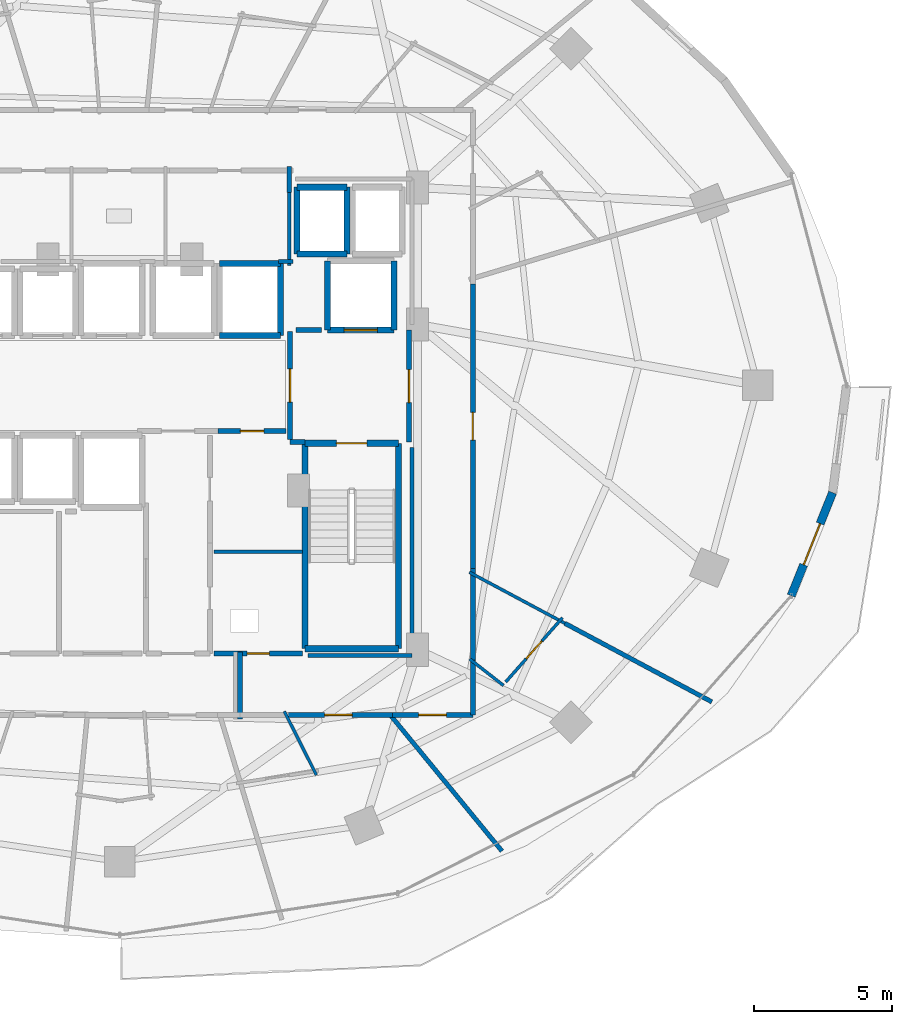
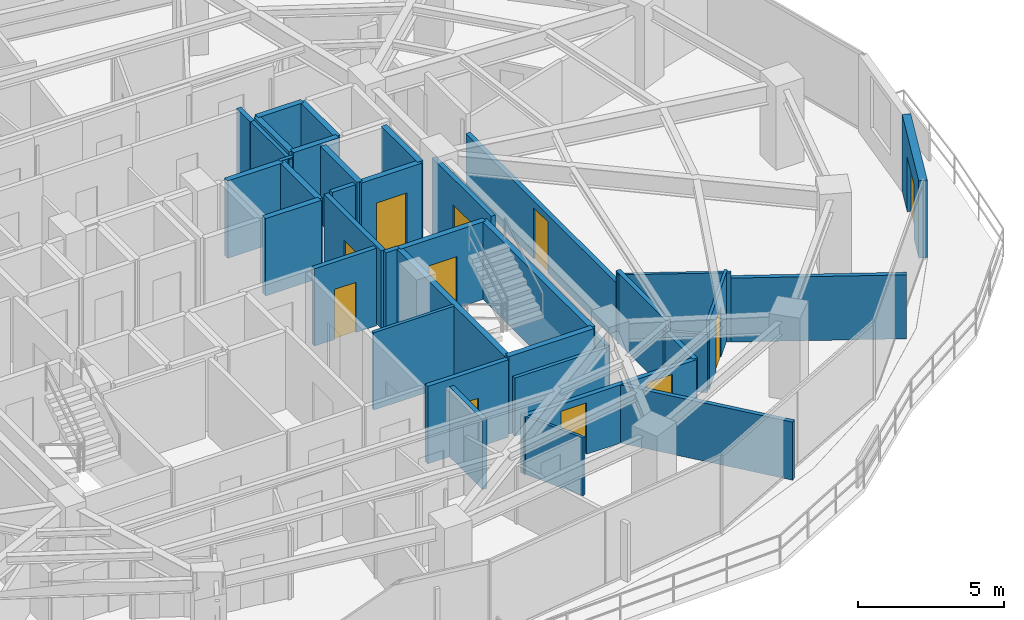
# One storey, part 24 of 29: 39 walls, 11 doors, 11 openings.
"""IFC4 building model written with IfcOpenShell, lengths in metres."""

from ifc_helpers import new_model, si_unit, direction, frame, frame_2d, origin, place, context, subcontext, project, spatial, rectangle, extrude, material, layer, layer_set, type_object, element, fill, save


model = new_model("IFC4")

# Units and contexts
model_context = context("Model", 3, precision=1e-05, world=origin(), true_north=direction((0.0, 1.0)))
body_context = subcontext(model_context, "Body", "Model", "MODEL_VIEW")
ifc_project = project(units=[si_unit("LENGTHUNIT", "METRE"), si_unit("AREAUNIT", "SQUARE_METRE"), si_unit("VOLUMEUNIT", "CUBIC_METRE"), si_unit("PLANEANGLEUNIT", "RADIAN"), si_unit("MASSUNIT", "GRAM", prefix="KILO")], contexts=[model_context])

# Site, building, storey
site_placement = place(None, origin())
site = spatial("IfcSite", under=ifc_project, at=site_placement, CompositionType="ELEMENT")
building_placement = place(site_placement, origin())
building = spatial("IfcBuilding", under=site, at=building_placement, Name="Vorneva Point Tower", CompositionType="ELEMENT")
storey_placement = place(building_placement, frame((0.0, 0.0, 110.300048828125)))
storey = spatial("IfcBuildingStorey", under=building, at=storey_placement, Name="L29", CompositionType="ELEMENT", Elevation=110.300048828125)

# Wall, opening, door
ifc_material_1 = material(Name="Concrete B60 (C50/60)", Category="concrete")
ifc_layer_1 = layer(ifc_material_1, 0.5)
ifc_layer_set_1 = layer_set([ifc_layer_1], Name="Concrete B60 (C50/60)")
wall_type_1 = type_object("IfcWallType", Name="WL-CORE-500", PredefinedType="SHEAR", material=ifc_layer_set_1)
wall_1_placement = place(storey_placement, frame((45.5, 28.0, 0.0), z_axis=(0.0, 0.0, 1.0), x_axis=(1.0, 0.0, 0.0)))
wall_1 = element("IfcWall", 1, at=wall_1_placement, inside=storey, type_object=wall_type_1, Name="L29 Lift FFL2 Shaft Wall -Y", PredefinedType="SHEAR", context=body_context, shape_type="SweptSolid", body=[
    extrude(rectangle(XDim=2.39990234375, YDim=0.219970703125, at=frame_2d((1.199951171875, 0.0))), origin(), (0.0, 0.0, 1.0), 3.239990234375),
])
opening_1_placement = place(wall_1_placement, frame((0.60009765625, 0.0, 0.0)))
opening_1 = element("IfcOpeningElement", 2, at=opening_1_placement, cuts=wall_1, Name="Opening LD-02", PredefinedType="OPENING", context=body_context, shape_type="SweptSolid", body=[
    extrude(rectangle(XDim=1.199951171875, YDim=2.199951171875, at=frame_2d((0.60009765625, 1.10009765625))), frame((0.0, 0.125, 0.0), z_axis=(0.0, -1.0, 0.0), x_axis=(1.0, 0.0, 0.0)), (0.0, 0.0, 1.0), 0.249755859375),
])
ifc_material_2 = material(Name="Brushed stainless steel S304", Category="steel")
door_type_1 = type_object("IfcDoorType", Name="LD-FIRE-1200", OperationType="SLIDING_TO_LEFT", PredefinedType="DOOR", material=ifc_material_2)
door_1_placement = place(opening_1_placement, origin())
door_1 = element("IfcDoor", 3, at=door_1_placement, inside=storey, type_object=door_type_1, Name="L29 Lift FFL2 Sliding Landing Door", OperationType="SLIDING_TO_LEFT", OverallHeight=2.199951171875, OverallWidth=1.199951171875, PredefinedType="DOOR", context=body_context, shape_type="SweptSolid", body=[
    extrude(rectangle(XDim=1.199951171875, YDim=2.199951171875, at=frame_2d((0.60009765625, 1.10009765625))), frame((0.0, 0.02490234375, 0.0), z_axis=(0.0, -1.0, 0.0), x_axis=(1.0, 0.0, 0.0)), (0.0, 0.0, 1.0), 0.050048828125),
])
fill(opening_1, door_1)

# Walls
for number, where, z_axis, x_axis, name in (
    (4, (47.89990234375, 28.0, 0.0), (0.0, 0.0, 1.0), (0.0, 1.0, 0.0), "L29 Lift FFL2 Shaft Wall +X"),
    (5, (45.5, 30.5, 0.0), (0.0, 0.0, 1.0), (0.0, -1.0, 0.0), "L29 Lift FFL2 Shaft Wall -X"),
):
    element("IfcWall", number, at=place(storey_placement, frame(where, z_axis=z_axis, x_axis=x_axis)), inside=storey, type_object=wall_type_1, Name=name, PredefinedType="SHEAR", context=body_context, shape_type="SweptSolid", body=[
        extrude(rectangle(XDim=2.5, YDim=0.219970703125, at=frame_2d((1.25, 0.0))), origin(), (0.0, 0.0, 1.0), 3.239990234375),
    ])

# Wall, opening, door
ifc_material_3 = material(Name="Precast concrete B50 (C40/50)", Category="concrete")
ifc_layer_2 = layer(ifc_material_3, 0.300048828125)
ifc_layer_set_2 = layer_set([ifc_layer_2], Name="Precast concrete B50 (C40/50)")
wall_type_2 = type_object("IfcWallType", Name="WL-EXT-300", PredefinedType="STANDARD", material=ifc_layer_set_2)
wall_2_placement = place(storey_placement, frame((62.251708984375, 18.40380859375, 0.0), z_axis=(0.0, 0.0, 1.0), x_axis=(0.372345205928, 0.92809430966, 0.0)))
wall_2 = element("IfcWall", 6, at=wall_2_placement, inside=storey, type_object=wall_type_2, Name="L29 Pale-Metal Facade Spandrel Wall 16.1", PredefinedType="STANDARD", context=body_context, shape_type="SweptSolid", body=[
    extrude(rectangle(XDim=4.01220703125, YDim=0.300048828125, at=frame_2d((2.006103515625, 0.0))), origin(), (0.0, 0.0, 1.0), 3.239990234375),
])
opening_2_placement = place(wall_2_placement, frame((1.2060546875, 0.0, 0.0)))
opening_2 = element("IfcOpeningElement", 7, at=opening_2_placement, cuts=wall_2, Name="Opening BD-01", PredefinedType="OPENING", context=body_context, shape_type="SweptSolid", body=[
    extrude(rectangle(XDim=1.60009765625, YDim=2.300048828125, at=frame_2d((0.800048828125, 1.14990234375))), frame((0.0, 0.1650390625, 0.0), z_axis=(0.0, -1.0, 0.0), x_axis=(1.0, 0.0, 0.0)), (0.0, 0.0, 1.0), 0.329833984375),
])
ifc_material_4 = material(Name="Pale anodised aluminium", Category="aluminium")
door_type_2 = type_object("IfcDoorType", Name="DR-BAL-1600", OperationType="SLIDING_TO_LEFT", PredefinedType="DOOR", material=ifc_material_4)
door_2_placement = place(opening_2_placement, origin())
door_2 = element("IfcDoor", 8, at=door_2_placement, inside=storey, type_object=door_type_2, Name="L29 Balcony Terrace Access Door 16", OperationType="SLIDING_TO_LEFT", OverallHeight=2.300048828125, OverallWidth=1.60009765625, PredefinedType="DOOR", context=body_context, shape_type="SweptSolid", body=[
    extrude(rectangle(XDim=1.60009765625, YDim=2.300048828125, at=frame_2d((0.800048828125, 1.14990234375))), frame((0.0, 0.02490234375, 0.0), z_axis=(0.0, -1.0, 0.0), x_axis=(1.0, 0.0, 0.0)), (0.0, 0.0, 1.0), 0.050048828125),
])
fill(opening_2, door_2)

# Wall
ifc_material_5 = material(Name="Fire-rated acoustic gypsum stud partition", Category="gypsum")
ifc_layer_3 = layer(ifc_material_5, 0.110107421875)
ifc_layer_set_3 = layer_set([ifc_layer_3], Name="Fire-rated acoustic gypsum stud partition")
wall_type_3 = type_object("IfcWallType", Name="WL-PART-110", PredefinedType="PARTITIONING", material=ifc_layer_set_3)
wall_3_placement = place(storey_placement, frame((43.94189453125, 14.22509765625, 0.0), z_axis=(0.0, 0.0, 1.0), x_axis=(0.450515334881, -0.892768689548, 0.0)))
element("IfcWall", 9, at=wall_3_placement, inside=storey, type_object=wall_type_3, Name="L29 Interior Partition 107", PredefinedType="PARTITIONING", context=body_context, shape_type="SweptSolid", body=[
    extrude(rectangle(XDim=2.57080078125, YDim=0.110107421875, at=frame_2d((1.285400390625, 0.0))), origin(), (0.0, 0.0, 1.0), 2.431884765625),
])

# Wall, opening, door
wall_4_placement = place(storey_placement, frame((53.98876953125, 17.60791015625, 0.0), z_axis=(0.0, 0.0, 1.0), x_axis=(-0.662322264705, -0.749219071885, 0.0)))
wall_4 = element("IfcWall", 10, at=wall_4_placement, inside=storey, type_object=wall_type_3, Name="L29 Interior Partition 109", PredefinedType="PARTITIONING", context=body_context, shape_type="SweptSolid", body=[
    extrude(rectangle(XDim=3.098876953125, YDim=0.110107421875, at=frame_2d((1.54931640625, 0.0))), origin(), (0.0, 0.0, 1.0), 2.885986328125),
])
opening_3_placement = place(wall_4_placement, frame((1.12451171875, 0.0, 0.0)))
opening_3 = element("IfcOpeningElement", 11, at=opening_3_placement, cuts=wall_4, Name="Opening ID-02", PredefinedType="OPENING", context=body_context, shape_type="SweptSolid", body=[
    extrude(rectangle(XDim=0.85009765625, YDim=2.10009765625, at=frame_2d((0.425048828125, 1.050048828125))), frame((0.0, 0.06982421875, 0.0), z_axis=(0.0, -1.0, 0.0), x_axis=(1.0, 0.0, 0.0)), (0.0, 0.0, 1.0), 0.139892578125),
])
ifc_material_6 = material(Name="Engineered oak fire-rated door leaf", Category="wood")
door_type_3 = type_object("IfcDoorType", Name="DR-BATH-850", OperationType="NOTDEFINED", PredefinedType="DOOR", material=ifc_material_6)
door_3_placement = place(opening_3_placement, origin())
door_3 = element("IfcDoor", 12, at=door_3_placement, inside=storey, type_object=door_type_3, Name="L29 Door Deluxe Guest Room L29-14 / En-Suite Bathroom L29-14", OperationType="SINGLE_SWING_LEFT", OverallHeight=2.10009765625, OverallWidth=0.85009765625, PredefinedType="DOOR", context=body_context, shape_type="SweptSolid", body=[
    extrude(rectangle(XDim=0.85009765625, YDim=2.10009765625, at=frame_2d((0.425048828125, 1.050048828125))), frame((0.0, 0.02490234375, 0.0), z_axis=(0.0, -1.0, 0.0), x_axis=(1.0, 0.0, 0.0)), (0.0, 0.0, 1.0), 0.050048828125),
])
fill(opening_3, door_3)

# Walls
wall_5_placement = place(storey_placement, frame((51.8583984375, 15.16259765625, 0.0), z_axis=(0.0, 0.0, 1.0), x_axis=(-0.787564922247, 0.61623168796, 0.0)))
element("IfcWall", 13, at=wall_5_placement, inside=storey, type_object=wall_type_3, Name="L29 Interior Partition 110", PredefinedType="PARTITIONING", context=body_context, shape_type="SweptSolid", body=[
    extrude(rectangle(XDim=1.547607421875, YDim=0.110107421875, at=frame_2d((0.77392578125, 0.0))), origin(), (0.0, 0.0, 1.0), 2.431884765625),
])
wall_6_placement = place(storey_placement, frame((54.072509765625, 17.408935546875, 0.0), z_axis=(0.0, 0.0, 1.0), x_axis=(-0.881911515214, 0.47141497572, 0.0)))
element("IfcWall", 14, at=wall_6_placement, inside=storey, type_object=wall_type_3, Name="L29 Interior Partition 111", PredefinedType="PARTITIONING", context=body_context, shape_type="SweptSolid", body=[
    extrude(rectangle(XDim=3.907470703125, YDim=0.110107421875, at=frame_2d((1.95361328125, 0.0))), origin(), (0.0, 0.0, 1.0), 2.885986328125),
])
ifc_layer_4 = layer(ifc_material_5, 0.125)
ifc_layer_set_4 = layer_set([ifc_layer_4], Name="Fire-rated acoustic gypsum stud partition")
wall_type_4 = type_object("IfcWallType", Name="WL-PART-125", PredefinedType="PARTITIONING", material=ifc_layer_set_4)
wall_7_placement = place(storey_placement, frame((44.60009765625, 20.0, 0.0), z_axis=(0.0, 0.0, 1.0), x_axis=(-1.0, 0.0, 0.0)))
element("IfcWall", 15, at=wall_7_placement, inside=storey, type_object=wall_type_4, Name="L29 Interior Partition 015", PredefinedType="PARTITIONING", context=body_context, shape_type="SweptSolid", body=[
    extrude(rectangle(XDim=3.2001953125, YDim=0.125, at=frame_2d((1.60009765625, 0.0))), origin(), (0.0, 0.0, 1.0), 3.239990234375),
])
ifc_layer_5 = layer(ifc_material_5, 0.139892578125)
ifc_layer_set_5 = layer_set([ifc_layer_5], Name="Fire-rated acoustic gypsum stud partition")
wall_type_5 = type_object("IfcWallType", Name="WL-PART-140", PredefinedType="PARTITIONING", material=ifc_layer_set_5)
wall_8_placement = place(storey_placement, frame((43.735107421875, 30.47998046875, 0.0), z_axis=(0.0, 0.0, 1.0), x_axis=(1.0, 0.0, 0.0)))
element("IfcWall", 16, at=wall_8_placement, inside=storey, type_object=wall_type_5, Name="L29 Interior Closure Partition 119", PredefinedType="PARTITIONING", context=body_context, shape_type="SweptSolid", body=[
    extrude(rectangle(XDim=0.52490234375, YDim=0.139892578125, at=frame_2d((0.262451171875, 0.0))), origin(), (0.0, 0.0, 1.0), 3.239990234375),
])
wall_9_placement = place(storey_placement, frame((44.1201171875, 30.340087890625, 0.0), z_axis=(0.0, 0.0, 1.0), x_axis=(0.0, 1.0, 0.0)))
element("IfcWall", 17, at=wall_9_placement, inside=storey, type_object=wall_type_5, Name="L29 Interior Closure Partition 120", PredefinedType="PARTITIONING", context=body_context, shape_type="SweptSolid", body=[
    extrude(rectangle(XDim=2.659912109375, YDim=0.139892578125, at=frame_2d((1.330078125, 0.0))), origin(), (0.0, 0.0, 1.0), 3.239990234375),
])
wall_10_placement = place(storey_placement, frame((48.550048828125, 23.75390625, 0.0), z_axis=(0.0, 0.0, 1.0), x_axis=(0.0, -1.0, 0.0)))
element("IfcWall", 18, at=wall_10_placement, inside=storey, type_object=wall_type_5, Name="L29 Interior Closure Partition 125", PredefinedType="PARTITIONING", context=body_context, shape_type="SweptSolid", body=[
    extrude(rectangle(XDim=7.513916015625, YDim=0.139892578125, at=frame_2d((3.7568359375, 0.0))), origin(), (0.0, 0.0, 1.0), 2.431884765625),
])
wall_11_placement = place(storey_placement, frame((48.550048828125, 16.239990234375, 0.0), z_axis=(0.0, 0.0, 1.0), x_axis=(-1.0, 0.0, 0.0)))
element("IfcWall", 19, at=wall_11_placement, inside=storey, type_object=wall_type_5, Name="L29 Interior Closure Partition 126", PredefinedType="PARTITIONING", context=body_context, shape_type="SweptSolid", body=[
    extrude(rectangle(XDim=3.7451171875, YDim=0.139892578125, at=frame_2d((1.87255859375, 0.0))), origin(), (0.0, 0.0, 1.0), 2.431884765625),
])
ifc_layer_6 = layer(ifc_material_5, 0.159912109375)
ifc_layer_set_6 = layer_set([ifc_layer_6], Name="Fire-rated acoustic gypsum stud partition")
wall_type_6 = type_object("IfcWallType", Name="WL-PART-160", PredefinedType="PARTITIONING", material=ifc_layer_set_6)
wall_12_placement = place(storey_placement, frame((51.802001953125, 9.181884765625, 0.0), z_axis=(0.0, 0.0, 1.0), x_axis=(-0.634357186002, 0.773040076948, 0.0)))
element("IfcWall", 20, at=wall_12_placement, inside=storey, type_object=wall_type_6, Name="L29 Interior Partition 108", PredefinedType="PARTITIONING", context=body_context, shape_type="SweptSolid", body=[
    extrude(rectangle(XDim=6.362060546875, YDim=0.159912109375, at=frame_2d((3.18115234375, 0.0))), origin(), (0.0, 0.0, 1.0), 2.431884765625),
])
wall_13_placement = place(storey_placement, frame((59.384033203125, 14.570068359375, 0.0), z_axis=(0.0, 0.0, 1.0), x_axis=(-0.881918302895, 0.471402277274, 0.0)))
element("IfcWall", 21, at=wall_13_placement, inside=storey, type_object=wall_type_6, Name="L29 Interior Partition 112", PredefinedType="PARTITIONING", context=body_context, shape_type="SweptSolid", body=[
    extrude(rectangle(XDim=6.022705078125, YDim=0.159912109375, at=frame_2d((3.01123046875, 0.0))), origin(), (0.0, 0.0, 1.0), 2.677001953125),
])

# Wall, opening, door
ifc_material_7 = material(Name="Autoclaved aerated concrete blockwork", Category="masonry")
ifc_layer_7 = layer(ifc_material_7, 0.179931640625)
ifc_layer_set_7 = layer_set([ifc_layer_7], Name="Autoclaved aerated concrete blockwork")
wall_type_7 = type_object("IfcWallType", Name="WL-PART-180", PredefinedType="PARTITIONING", material=ifc_layer_set_7)
wall_14_placement = place(storey_placement, frame((44.14990234375, 27.955078125, 0.0), z_axis=(0.0, 0.0, 1.0), x_axis=(0.0, -1.0, 0.0)))
wall_14 = element("IfcWall", 22, at=wall_14_placement, inside=storey, type_object=wall_type_7, Name="L29 Interior Partition 003", PredefinedType="PARTITIONING", context=body_context, shape_type="SweptSolid", body=[
    extrude(rectangle(XDim=3.91015625, YDim=0.179931640625, at=frame_2d((1.955078125, 0.0))), origin(), (0.0, 0.0, 1.0), 3.239990234375),
])
opening_4_placement = place(wall_14_placement, frame((1.35498046875, 0.0, 0.0)))
opening_4 = element("IfcOpeningElement", 23, at=opening_4_placement, cuts=wall_14, Name="Opening FD-02", PredefinedType="OPENING", context=body_context, shape_type="SweptSolid", body=[
    extrude(rectangle(XDim=1.199951171875, YDim=2.14990234375, at=frame_2d((0.60009765625, 1.074951171875))), frame((0.0, 0.10498046875, 0.0), z_axis=(0.0, -1.0, 0.0), x_axis=(1.0, 0.0, 0.0)), (0.0, 0.0, 1.0), 0.209716796875),
])
ifc_material_8 = material(Name="Fire-rated powder-coated steel", Category="steel")
door_type_4 = type_object("IfcDoorType", Name="DR-FFL-1200", OperationType="NOTDEFINED", PredefinedType="DOOR", material=ifc_material_8)
door_4_placement = place(opening_4_placement, origin())
door_4 = element("IfcDoor", 24, at=door_4_placement, inside=storey, type_object=door_type_4, Name="L29 Door East Firefighting Lobby / Central Lift Lobby", OperationType="SINGLE_SWING_RIGHT", OverallHeight=2.14990234375, OverallWidth=1.199951171875, PredefinedType="DOOR", context=body_context, shape_type="SweptSolid", body=[
    extrude(rectangle(XDim=1.199951171875, YDim=2.14990234375, at=frame_2d((0.60009765625, 1.074951171875))), frame((0.0, 0.02490234375, 0.0), z_axis=(0.0, -1.0, 0.0), x_axis=(1.0, 0.0, 0.0)), (0.0, 0.0, 1.0), 0.050048828125),
])
fill(opening_4, door_4)

# Wall
wall_15_placement = place(storey_placement, frame((44.14990234375, 23.949951171875, 0.0), z_axis=(0.0, 0.0, 1.0), x_axis=(1.0, 0.0, 0.0)))
element("IfcWall", 25, at=wall_15_placement, inside=storey, type_object=wall_type_7, Name="L29 Interior Partition 004", PredefinedType="PARTITIONING", context=body_context, shape_type="SweptSolid", body=[
    extrude(rectangle(XDim=0.5400390625, YDim=0.179931640625, at=frame_2d((0.27001953125, 0.0))), origin(), (0.0, 0.0, 1.0), 3.239990234375),
])

# Wall, opening, door
wall_16_placement = place(storey_placement, frame((48.449951171875, 23.949951171875, 0.0), z_axis=(0.0, 0.0, 1.0), x_axis=(0.0, 1.0, 0.0)))
wall_16 = element("IfcWall", 26, at=wall_16_placement, inside=storey, type_object=wall_type_7, Name="L29 Interior Partition 005", PredefinedType="PARTITIONING", context=body_context, shape_type="SweptSolid", body=[
    extrude(rectangle(XDim=4.050048828125, YDim=0.179931640625, at=frame_2d((2.02490234375, 0.0))), origin(), (0.0, 0.0, 1.0), 3.239990234375),
])
opening_5_placement = place(wall_16_placement, frame((1.425048828125, 0.0, 0.0)))
opening_5 = element("IfcOpeningElement", 27, at=opening_5_placement, cuts=wall_16, Name="Opening FD-02", PredefinedType="OPENING", context=body_context, shape_type="SweptSolid", body=[
    extrude(rectangle(XDim=1.199951171875, YDim=2.14990234375, at=frame_2d((0.60009765625, 1.074951171875))), frame((0.0, 0.10498046875, 0.0), z_axis=(0.0, -1.0, 0.0), x_axis=(1.0, 0.0, 0.0)), (0.0, 0.0, 1.0), 0.209716796875),
])
door_5_placement = place(opening_5_placement, origin())
door_5 = element("IfcDoor", 28, at=door_5_placement, inside=storey, type_object=door_type_4, Name="L29 Door East Firefighting Lobby / L29 Circulation Corridor", OperationType="SINGLE_SWING_LEFT", OverallHeight=2.14990234375, OverallWidth=1.199951171875, PredefinedType="DOOR", context=body_context, shape_type="SweptSolid", body=[
    extrude(rectangle(XDim=1.199951171875, YDim=2.14990234375, at=frame_2d((0.60009765625, 1.074951171875))), frame((0.0, 0.02490234375, 0.0), z_axis=(0.0, -1.0, 0.0), x_axis=(1.0, 0.0, 0.0)), (0.0, 0.0, 1.0), 0.050048828125),
])
fill(opening_5, door_5)

wall_17_placement = place(storey_placement, frame((41.554931640625, 24.35009765625, 0.0), z_axis=(0.0, 0.0, 1.0), x_axis=(1.0, 0.0, 0.0)))
wall_17 = element("IfcWall", 29, at=wall_17_placement, inside=storey, type_object=wall_type_7, Name="L29 Interior Partition 010", PredefinedType="PARTITIONING", context=body_context, shape_type="SweptSolid", body=[
    extrude(rectangle(XDim=2.445068359375, YDim=0.179931640625, at=frame_2d((1.22265625, 0.0))), origin(), (0.0, 0.0, 1.0), 3.239990234375),
])
opening_6_placement = place(wall_17_placement, frame((0.797607421875, 0.0, 0.0)))
opening_6 = element("IfcOpeningElement", 30, at=opening_6_placement, cuts=wall_17, Name="Opening ID-02", PredefinedType="OPENING", context=body_context, shape_type="SweptSolid", body=[
    extrude(rectangle(XDim=0.85009765625, YDim=2.10009765625, at=frame_2d((0.425048828125, 1.050048828125))), frame((0.0, 0.10498046875, 0.0), z_axis=(0.0, -1.0, 0.0), x_axis=(1.0, 0.0, 0.0)), (0.0, 0.0, 1.0), 0.209716796875),
])
door_6_placement = place(opening_6_placement, origin())
door_6 = element("IfcDoor", 31, at=door_6_placement, inside=storey, type_object=door_type_3, Name="L29 Door Central Lift Lobby / Valet and Parcel Room", OperationType="SINGLE_SWING_LEFT", OverallHeight=2.10009765625, OverallWidth=0.85009765625, PredefinedType="DOOR", context=body_context, shape_type="SweptSolid", body=[
    extrude(rectangle(XDim=0.85009765625, YDim=2.10009765625, at=frame_2d((0.425048828125, 1.050048828125))), frame((0.0, 0.02490234375, 0.0), z_axis=(0.0, -1.0, 0.0), x_axis=(1.0, 0.0, 0.0)), (0.0, 0.0, 1.0), 0.050048828125),
])
fill(opening_6, door_6)

wall_18_placement = place(storey_placement, frame((41.39990234375, 16.320068359375, 0.0), z_axis=(0.0, 0.0, 1.0), x_axis=(1.0, 0.0, 0.0)))
wall_18 = element("IfcWall", 32, at=wall_18_placement, inside=storey, type_object=wall_type_7, Name="L29 Interior Partition 016", PredefinedType="PARTITIONING", context=body_context, shape_type="SweptSolid", body=[
    extrude(rectangle(XDim=3.2001953125, YDim=0.179931640625, at=frame_2d((1.60009765625, 0.0))), origin(), (0.0, 0.0, 1.0), 3.239990234375),
])
opening_7_placement = place(wall_18_placement, frame((1.199951171875, 0.0, 0.0)))
opening_7 = element("IfcOpeningElement", 33, at=opening_7_placement, cuts=wall_18, Name="Opening RD-01", PredefinedType="OPENING", context=body_context, shape_type="SweptSolid", body=[
    extrude(rectangle(XDim=0.800048828125, YDim=2.050048828125, at=frame_2d((0.39990234375, 1.02490234375))), frame((0.0, 0.10498046875, 0.0), z_axis=(0.0, -1.0, 0.0), x_axis=(1.0, 0.0, 0.0)), (0.0, 0.0, 1.0), 0.209716796875),
])
door_type_5 = type_object("IfcDoorType", Name="DR-RSR-800", OperationType="SINGLE_SWING_LEFT", PredefinedType="DOOR", material=ifc_material_8)
door_7_placement = place(opening_7_placement, origin())
door_7 = element("IfcDoor", 34, at=door_7_placement, inside=storey, type_object=door_type_5, Name="L29 Door Electrical Riser / L29 Circulation Corridor", OperationType="SINGLE_SWING_RIGHT", OverallHeight=2.050048828125, OverallWidth=0.800048828125, PredefinedType="DOOR", context=body_context, shape_type="SweptSolid", body=[
    extrude(rectangle(XDim=0.800048828125, YDim=2.050048828125, at=frame_2d((0.39990234375, 1.02490234375))), frame((0.0, 0.02490234375, 0.0), z_axis=(0.0, -1.0, 0.0), x_axis=(1.0, 0.0, 0.0)), (0.0, 0.0, 1.0), 0.050048828125),
])
fill(opening_7, door_7)

# Wall
wall_19_placement = place(storey_placement, frame((44.1201171875, 32.969970703125, 0.0), z_axis=(0.0, 0.0, 1.0), x_axis=(0.0, 1.0, 0.0)))
element("IfcWall", 35, at=wall_19_placement, inside=storey, type_object=wall_type_7, Name="L29 Interior Partition 022", PredefinedType="PARTITIONING", context=body_context, shape_type="SweptSolid", body=[
    extrude(rectangle(XDim=0.929931640625, YDim=0.179931640625, at=frame_2d((0.46484375, 0.0))), origin(), (0.0, 0.0, 1.0), 3.239990234375),
])

# Wall, opening, door
wall_20_placement = place(storey_placement, frame((43.945068359375, 14.10009765625, 0.0), z_axis=(0.0, 0.0, 1.0), x_axis=(1.0, 0.0, 0.0)))
wall_20 = element("IfcWall", 36, at=wall_20_placement, inside=storey, type_object=wall_type_7, Name="L29 Interior Partition 053", PredefinedType="PARTITIONING", context=body_context, shape_type="SweptSolid", body=[
    extrude(rectangle(XDim=3.89892578125, YDim=0.179931640625, at=frame_2d((1.949462890625, 0.0))), origin(), (0.0, 0.0, 1.0), 2.431884765625),
])
opening_8_placement = place(wall_20_placement, frame((1.449462890625, 0.0, 0.0)))
opening_8 = element("IfcOpeningElement", 37, at=opening_8_placement, cuts=wall_20, Name="Opening UD-01", PredefinedType="OPENING", context=body_context, shape_type="SweptSolid", body=[
    extrude(rectangle(XDim=1.0, YDim=2.14990234375, at=frame_2d((0.5, 1.074951171875))), frame((0.0, 0.10498046875, 0.0), z_axis=(0.0, -1.0, 0.0), x_axis=(1.0, 0.0, 0.0)), (0.0, 0.0, 1.0), 0.209716796875),
])
door_type_6 = type_object("IfcDoorType", Name="DR-UNIT-1000", OperationType="NOTDEFINED", PredefinedType="DOOR", material=ifc_material_6)
door_8_placement = place(opening_8_placement, origin())
door_8 = element("IfcDoor", 38, at=door_8_placement, inside=storey, type_object=door_type_6, Name="L29 Door L29 Circulation Corridor / Twin Guest Room L29-13", OperationType="SINGLE_SWING_RIGHT", OverallHeight=2.14990234375, OverallWidth=1.0, PredefinedType="DOOR", context=body_context, shape_type="SweptSolid", body=[
    extrude(rectangle(XDim=1.0, YDim=2.14990234375, at=frame_2d((0.5, 1.074951171875))), frame((0.0, 0.02490234375, 0.0), z_axis=(0.0, -1.0, 0.0), x_axis=(1.0, 0.0, 0.0)), (0.0, 0.0, 1.0), 0.050048828125),
])
fill(opening_8, door_8)

# Wall
wall_21_placement = place(storey_placement, frame((42.340087890625, 16.3798828125, 0.0), z_axis=(0.0, 0.0, 1.0), x_axis=(0.0, -1.0, 0.0)))
element("IfcWall", 39, at=wall_21_placement, inside=storey, type_object=wall_type_7, Name="L29 Interior Partition 054", PredefinedType="PARTITIONING", context=body_context, shape_type="SweptSolid", body=[
    extrude(rectangle(XDim=2.419921875, YDim=0.179931640625, at=frame_2d((1.2099609375, 0.0))), origin(), (0.0, 0.0, 1.0), 2.928955078125),
])

# Wall, opening, door
wall_22_placement = place(storey_placement, frame((47.843994140625, 14.10009765625, 0.0), z_axis=(0.0, 0.0, 1.0), x_axis=(1.0, 0.0, 0.0)))
wall_22 = element("IfcWall", 40, at=wall_22_placement, inside=storey, type_object=wall_type_7, Name="L29 Interior Partition 058", PredefinedType="PARTITIONING", context=body_context, shape_type="SweptSolid", body=[
    extrude(rectangle(XDim=2.906005859375, YDim=0.179931640625, at=frame_2d((1.453125, 0.0))), origin(), (0.0, 0.0, 1.0), 2.431884765625),
])
opening_9_placement = place(wall_22_placement, frame((0.952880859375, 0.0, 0.0)))
opening_9 = element("IfcOpeningElement", 41, at=opening_9_placement, cuts=wall_22, Name="Opening UD-01", PredefinedType="OPENING", context=body_context, shape_type="SweptSolid", body=[
    extrude(rectangle(XDim=1.0, YDim=2.14990234375, at=frame_2d((0.5, 1.074951171875))), frame((0.0, 0.10498046875, 0.0), z_axis=(0.0, -1.0, 0.0), x_axis=(1.0, 0.0, 0.0)), (0.0, 0.0, 1.0), 0.209716796875),
])
door_9_placement = place(opening_9_placement, origin())
door_9 = element("IfcDoor", 42, at=door_9_placement, inside=storey, type_object=door_type_6, Name="L29 Door L29 Circulation Corridor / Deluxe Guest Room L29-14", OperationType="SINGLE_SWING_LEFT", OverallHeight=2.14990234375, OverallWidth=1.0, PredefinedType="DOOR", context=body_context, shape_type="SweptSolid", body=[
    extrude(rectangle(XDim=1.0, YDim=2.14990234375, at=frame_2d((0.5, 1.074951171875))), frame((0.0, 0.02490234375, 0.0), z_axis=(0.0, -1.0, 0.0), x_axis=(1.0, 0.0, 0.0)), (0.0, 0.0, 1.0), 0.050048828125),
])
fill(opening_9, door_9)

# Walls
wall_23_placement = place(storey_placement, frame((50.75, 14.10009765625, 0.0), z_axis=(0.0, 0.0, 1.0), x_axis=(0.0, 1.0, 0.0)))
element("IfcWall", 43, at=wall_23_placement, inside=storey, type_object=wall_type_7, Name="L29 Interior Partition 059", PredefinedType="PARTITIONING", context=body_context, shape_type="SweptSolid", body=[
    extrude(rectangle(XDim=1.989990234375, YDim=0.179931640625, at=frame_2d((0.9951171875, 0.0))), origin(), (0.0, 0.0, 1.0), 2.431884765625),
])
wall_24_placement = place(storey_placement, frame((50.75, 15.949951171875, 0.0), z_axis=(0.0, 0.0, 1.0), x_axis=(0.0, 1.0, 0.0)))
element("IfcWall", 44, at=wall_24_placement, inside=storey, type_object=wall_type_7, Name="L29 Interior Partition 060", PredefinedType="PARTITIONING", context=body_context, shape_type="SweptSolid", body=[
    extrude(rectangle(XDim=3.43505859375, YDim=0.179931640625, at=frame_2d((1.717529296875, 0.0))), origin(), (0.0, 0.0, 1.0), 2.928955078125),
])

# Wall, opening, door
wall_25_placement = place(storey_placement, frame((50.75, 19.385009765625, 0.0), z_axis=(0.0, 0.0, 1.0), x_axis=(0.0, 1.0, 0.0)))
wall_25 = element("IfcWall", 45, at=wall_25_placement, inside=storey, type_object=wall_type_7, Name="L29 Interior Partition 061", PredefinedType="PARTITIONING", context=body_context, shape_type="SweptSolid", body=[
    extrude(rectangle(XDim=10.282958984375, YDim=0.179931640625, at=frame_2d((5.1416015625, 0.0))), origin(), (0.0, 0.0, 1.0), 2.431884765625),
])
opening_10_placement = place(wall_25_placement, frame((4.6416015625, 0.0, 0.0)))
opening_10 = element("IfcOpeningElement", 46, at=opening_10_placement, cuts=wall_25, Name="Opening UD-01", PredefinedType="OPENING", context=body_context, shape_type="SweptSolid", body=[
    extrude(rectangle(XDim=1.0, YDim=2.14990234375, at=frame_2d((0.5, 1.074951171875))), frame((0.0, 0.10498046875, 0.0), z_axis=(0.0, -1.0, 0.0), x_axis=(1.0, 0.0, 0.0)), (0.0, 0.0, 1.0), 0.209716796875),
])
door_10_placement = place(opening_10_placement, origin())
door_10 = element("IfcDoor", 47, at=door_10_placement, inside=storey, type_object=door_type_6, Name="L29 Door L29 Circulation Corridor / Executive Meeting Room L29-15", OperationType="SINGLE_SWING_RIGHT", OverallHeight=2.14990234375, OverallWidth=1.0, PredefinedType="DOOR", context=body_context, shape_type="SweptSolid", body=[
    extrude(rectangle(XDim=1.0, YDim=2.14990234375, at=frame_2d((0.5, 1.074951171875))), frame((0.0, 0.02490234375, 0.0), z_axis=(0.0, -1.0, 0.0), x_axis=(1.0, 0.0, 0.0)), (0.0, 0.0, 1.0), 0.050048828125),
])
fill(opening_10, door_10)

# Wall
wall_26_placement = place(storey_placement, frame((45.280029296875, 28.0, 0.0), z_axis=(0.0, 0.0, 1.0), x_axis=(-1.0, 0.0, 0.0)))
element("IfcWall", 48, at=wall_26_placement, inside=storey, type_object=wall_type_7, Name="L29 Interior Closure Partition 114", PredefinedType="PARTITIONING", context=body_context, shape_type="SweptSolid", body=[
    extrude(rectangle(XDim=0.9150390625, YDim=0.179931640625, at=frame_2d((0.45751953125, 0.0))), origin(), (0.0, 0.0, 1.0), 3.239990234375),
])

# Wall, opening, door
ifc_material_9 = material(Name="Concrete B50 (C40/50)", Category="concrete")
ifc_layer_8 = layer(ifc_material_9, 0.219970703125)
ifc_layer_set_8 = layer_set([ifc_layer_8], Name="Concrete B50 (C40/50)")
wall_type_8 = type_object("IfcWallType", Name="WL-SHFT-220", PredefinedType="SOLIDWALL", material=ifc_layer_set_8)
wall_27_placement = place(storey_placement, frame((44.68994140625, 23.909912109375, 0.0), z_axis=(0.0, 0.0, 1.0), x_axis=(1.0, 0.0, 0.0)))
wall_27 = element("IfcWall", 49, at=wall_27_placement, inside=storey, type_object=wall_type_8, Name="L29 Exit Stair ST2 Shaft Wall near", PredefinedType="SOLIDWALL", context=body_context, shape_type="SweptSolid", body=[
    extrude(rectangle(XDim=3.3701171875, YDim=0.219970703125, at=frame_2d((1.68505859375, 0.0))), origin(), (0.0, 0.0, 1.0), 3.239990234375),
])
opening_11_placement = place(wall_27_placement, frame((1.135009765625, 0.0, 0.0)))
opening_11 = element("IfcOpeningElement", 50, at=opening_11_placement, cuts=wall_27, Name="Opening FD-01", PredefinedType="OPENING", context=body_context, shape_type="SweptSolid", body=[
    extrude(rectangle(XDim=1.10009765625, YDim=2.14990234375, at=frame_2d((0.550048828125, 1.074951171875))), frame((0.0, 0.125, 0.0), z_axis=(0.0, -1.0, 0.0), x_axis=(1.0, 0.0, 0.0)), (0.0, 0.0, 1.0), 0.249755859375),
])
door_type_7 = type_object("IfcDoorType", Name="DR-STAIR-1100", OperationType="NOTDEFINED", PredefinedType="DOOR", material=ifc_material_8)
door_11_placement = place(opening_11_placement, origin())
door_11 = element("IfcDoor", 51, at=door_11_placement, inside=storey, type_object=door_type_7, Name="L29 Exit Stair ST2 Fire Door", OperationType="SINGLE_SWING_RIGHT", OverallHeight=2.14990234375, OverallWidth=1.10009765625, PredefinedType="DOOR", context=body_context, shape_type="SweptSolid", body=[
    extrude(rectangle(XDim=1.10009765625, YDim=2.14990234375, at=frame_2d((0.550048828125, 1.074951171875))), frame((0.0, 0.02490234375, 0.0), z_axis=(0.0, -1.0, 0.0), x_axis=(1.0, 0.0, 0.0)), (0.0, 0.0, 1.0), 0.050048828125),
])
fill(opening_11, door_11)

# Walls
wall_28_placement = place(storey_placement, frame((48.06005859375, 23.909912109375, 0.0), z_axis=(0.0, 0.0, 1.0), x_axis=(0.0, -1.0, 0.0)))
element("IfcWall", 52, at=wall_28_placement, inside=storey, type_object=wall_type_8, Name="L29 Exit Stair ST2 Shaft Wall right", PredefinedType="SOLIDWALL", context=body_context, shape_type="SweptSolid", body=[
    extrude(rectangle(XDim=7.419921875, YDim=0.219970703125, at=frame_2d((3.7099609375, 0.0))), origin(), (0.0, 0.0, 1.0), 3.239990234375),
])
wall_29_placement = place(storey_placement, frame((48.06005859375, 16.489990234375, 0.0), z_axis=(0.0, 0.0, 1.0), x_axis=(-1.0, 0.0, 0.0)))
element("IfcWall", 53, at=wall_29_placement, inside=storey, type_object=wall_type_8, Name="L29 Exit Stair ST2 Shaft Wall far", PredefinedType="SOLIDWALL", context=body_context, shape_type="SweptSolid", body=[
    extrude(rectangle(XDim=3.3701171875, YDim=0.219970703125, at=frame_2d((1.68505859375, 0.0))), origin(), (0.0, 0.0, 1.0), 3.239990234375),
])
wall_30_placement = place(storey_placement, frame((44.68994140625, 16.489990234375, 0.0), z_axis=(0.0, 0.0, 1.0), x_axis=(0.0, 1.0, 0.0)))
element("IfcWall", 54, at=wall_30_placement, inside=storey, type_object=wall_type_8, Name="L29 Exit Stair ST2 Shaft Wall left", PredefinedType="SOLIDWALL", context=body_context, shape_type="SweptSolid", body=[
    extrude(rectangle(XDim=7.419921875, YDim=0.219970703125, at=frame_2d((3.7099609375, 0.0))), origin(), (0.0, 0.0, 1.0), 3.239990234375),
])
wall_31_placement = place(storey_placement, frame((41.60009765625, 27.800048828125, 0.0), z_axis=(0.0, 0.0, 1.0), x_axis=(1.0, 0.0, 0.0)))
element("IfcWall", 55, at=wall_31_placement, inside=storey, type_object=wall_type_8, Name="L29 Lift PL8 Shaft Wall -Y", PredefinedType="SOLIDWALL", context=body_context, shape_type="SweptSolid", body=[
    extrude(rectangle(XDim=2.199951171875, YDim=0.219970703125, at=frame_2d((1.10009765625, 0.0))), origin(), (0.0, 0.0, 1.0), 3.239990234375),
])
wall_32_placement = place(storey_placement, frame((43.800048828125, 27.800048828125, 0.0), z_axis=(0.0, 0.0, 1.0), x_axis=(0.0, 1.0, 0.0)))
element("IfcWall", 56, at=wall_32_placement, inside=storey, type_object=wall_type_8, Name="L29 Lift PL8 Shaft Wall +X", PredefinedType="SOLIDWALL", context=body_context, shape_type="SweptSolid", body=[
    extrude(rectangle(XDim=2.599853515625, YDim=0.219970703125, at=frame_2d((1.2998046875, 0.0))), origin(), (0.0, 0.0, 1.0), 3.239990234375),
])
wall_33_placement = place(storey_placement, frame((43.800048828125, 30.39990234375, 0.0), z_axis=(0.0, 0.0, 1.0), x_axis=(-1.0, 0.0, 0.0)))
element("IfcWall", 57, at=wall_33_placement, inside=storey, type_object=wall_type_8, Name="L29 Lift PL8 Shaft Wall +Y", PredefinedType="SOLIDWALL", context=body_context, shape_type="SweptSolid", body=[
    extrude(rectangle(XDim=2.199951171875, YDim=0.219970703125, at=frame_2d((1.10009765625, 0.0))), origin(), (0.0, 0.0, 1.0), 3.239990234375),
])
wall_34_placement = place(storey_placement, frame((44.39990234375, 30.739990234375, 0.0), z_axis=(0.0, 0.0, 1.0), x_axis=(1.0, 0.0, 0.0)))
element("IfcWall", 58, at=wall_34_placement, inside=storey, type_object=wall_type_8, Name="L29 Lift EX1 Shaft Wall -Y", PredefinedType="SOLIDWALL", context=body_context, shape_type="SweptSolid", body=[
    extrude(rectangle(XDim=1.800048828125, YDim=0.219970703125, at=frame_2d((0.89990234375, 0.0))), origin(), (0.0, 0.0, 1.0), 3.239990234375),
])
wall_35_placement = place(storey_placement, frame((46.199951171875, 30.739990234375, 0.0), z_axis=(0.0, 0.0, 1.0), x_axis=(0.0, 1.0, 0.0)))
element("IfcWall", 59, at=wall_35_placement, inside=storey, type_object=wall_type_8, Name="L29 Lift EX1 Shaft Wall +X", PredefinedType="SOLIDWALL", context=body_context, shape_type="SweptSolid", body=[
    extrude(rectangle(XDim=2.419921875, YDim=0.219970703125, at=frame_2d((1.2099609375, 0.0))), origin(), (0.0, 0.0, 1.0), 3.239990234375),
])
wall_36_placement = place(storey_placement, frame((46.199951171875, 33.159912109375, 0.0), z_axis=(0.0, 0.0, 1.0), x_axis=(-1.0, 0.0, 0.0)))
element("IfcWall", 60, at=wall_36_placement, inside=storey, type_object=wall_type_8, Name="L29 Lift EX1 Shaft Wall +Y", PredefinedType="SOLIDWALL", context=body_context, shape_type="SweptSolid", body=[
    extrude(rectangle(XDim=1.800048828125, YDim=0.219970703125, at=frame_2d((0.89990234375, 0.0))), origin(), (0.0, 0.0, 1.0), 3.239990234375),
])
wall_37_placement = place(storey_placement, frame((44.39990234375, 33.159912109375, 0.0), z_axis=(0.0, 0.0, 1.0), x_axis=(0.0, -1.0, 0.0)))
element("IfcWall", 61, at=wall_37_placement, inside=storey, type_object=wall_type_8, Name="L29 Lift EX1 Shaft Wall -X", PredefinedType="SOLIDWALL", context=body_context, shape_type="SweptSolid", body=[
    extrude(rectangle(XDim=2.419921875, YDim=0.219970703125, at=frame_2d((1.2099609375, 0.0))), origin(), (0.0, 0.0, 1.0), 3.239990234375),
])

save(model, "model.ifc")
